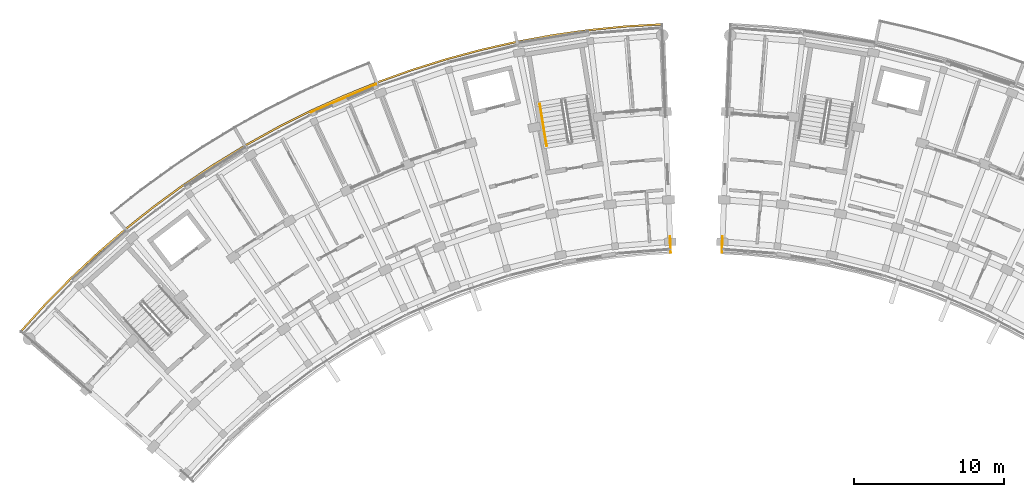
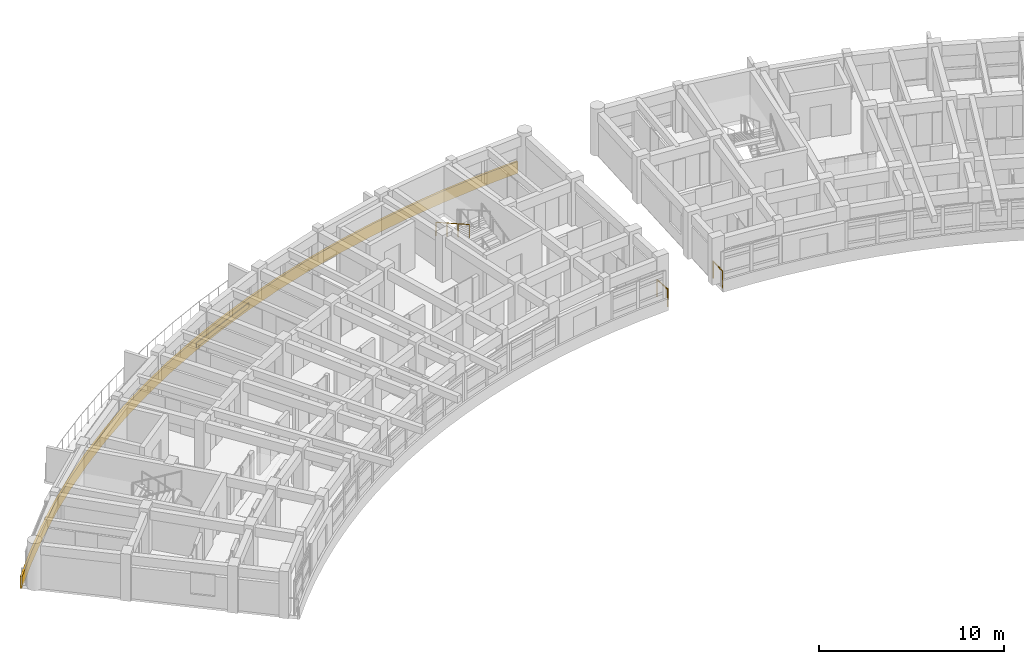
# One storey, part 44 of 55: 4 railings, 1 covering.
"""IFC4 building model written with IfcOpenShell, lengths in metres."""

from ifc_helpers import new_model, si_unit, direction, frame, origin, origin_2d, place, context, subcontext, project, spatial, polyline, rectangle, circle, outline, extrude, material, layer, layer_set, type_object, element, save


model = new_model("IFC4")

# Units and contexts
model_context = context("Model", 3, precision=1e-05, world=origin(), true_north=direction((0.0, 1.0)))
body_context = subcontext(model_context, "Body", "Model", "MODEL_VIEW")
ifc_project = project(units=[si_unit("LENGTHUNIT", "METRE"), si_unit("AREAUNIT", "SQUARE_METRE"), si_unit("VOLUMEUNIT", "CUBIC_METRE"), si_unit("PLANEANGLEUNIT", "RADIAN"), si_unit("MASSUNIT", "GRAM", prefix="KILO")], contexts=[model_context])

# Site, building, storey
site_placement = place(None, origin())
site = spatial("IfcSite", under=ifc_project, at=site_placement, CompositionType="ELEMENT")
building_placement = place(site_placement, origin())
building = spatial("IfcBuilding", under=site, at=building_placement, Name="Zimvara Arc Housing Community", CompositionType="ELEMENT")
storey_placement = place(building_placement, frame((0.0, 0.0, 14.300048828125)))
storey = spatial("IfcBuildingStorey", under=building, at=storey_placement, Name="L04", CompositionType="ELEMENT", Elevation=14.300048828125)

# Covering
ifc_material_1 = material(Name="Pale-Gold Anodised Aluminium Cladding", Category="aluminium")
ifc_layer = layer(ifc_material_1, 0.044921875)
ifc_layer_set = layer_set([ifc_layer], Name="Pale-Gold Anodised Aluminium Cladding")
covering_type = type_object("IfcCoveringType", Name="CLD-GOLD-02", PredefinedType="CLADDING", material=ifc_layer_set)
covering_placement = place(storey_placement, frame((21.51025390625, 99.1474609375, 0.009765625), z_axis=(0.0, 0.0, 1.0), x_axis=(0.918721611116, 0.394905813161, 0.0)))
element("IfcCovering", 1, at=covering_placement, inside=storey, type_object=covering_type, Name="cld:blkA:L04:out:b5", PredefinedType="CLADDING", context=body_context, shape_type="SweptSolid", body=[
    extrude(rectangle(XDim=4.748779296875, YDim=0.044921875, at=origin_2d()), origin(), (0.0, 0.0, 1.0), 0.300048828125),
])

# Railings
ifc_material_2 = material(Name="Anodised Aluminium AW-6063", Category="aluminium")
railing_type_1 = type_object("IfcRailingType", Name="RLG-BAL-1150", PredefinedType="BALUSTRADE", material=ifc_material_2)
railing_1_placement = place(storey_placement, frame((43.295654296875, 88.8671875, 0.0)))
element("IfcRailing", 2, at=railing_1_placement, inside=storey, type_object=railing_type_1, Name="rlg:blkA:L04:gable_in:gN", PredefinedType="BALUSTRADE", context=body_context, shape_type="SweptSolid", body=[
    extrude(circle(Radius=0.02392578125, at=origin_2d()), frame((0.0, 0.0, 1.1259765625), z_axis=(-0.038424441628, 0.999261508458, 0.0), x_axis=(-0.999261508458, -0.038424441628, 0.0)), (0.0, 0.0, 1.0), 1.080078125),
    extrude(circle(Radius=0.02099609375, at=origin_2d()), origin(), (0.0, 0.0, 1.0), 1.101806640625),
    extrude(circle(Radius=0.02099609375, at=origin_2d()), frame((-0.04150390625, 1.079345703125, 0.0)), (0.0, 0.0, 1.0), 1.101806640625),
])
railing_2_placement = place(storey_placement, frame((46.704345703125, 88.8671875, 0.0)))
element("IfcRailing", 3, at=railing_2_placement, inside=storey, type_object=railing_type_1, Name="rlg:blkB:L04:gable_in:g0", PredefinedType="BALUSTRADE", context=body_context, shape_type="SweptSolid", body=[
    extrude(circle(Radius=0.02392578125, at=origin_2d()), frame((0.0, 0.0, 1.1259765625), z_axis=(0.038424441628, 0.999261508458, 0.0), x_axis=(-0.999261508458, 0.038424441628, 0.0)), (0.0, 0.0, 1.0), 1.080078125),
    extrude(circle(Radius=0.02099609375, at=origin_2d()), origin(), (0.0, 0.0, 1.0), 1.101806640625),
    extrude(circle(Radius=0.02099609375, at=origin_2d()), frame((0.04150390625, 1.079345703125, 0.0)), (0.0, 0.0, 1.0), 1.101806640625),
])
ifc_material_3 = material(Name="Pale-Gold Anodised Aluminium AW-6063", Category="aluminium")
railing_type_2 = type_object("IfcRailingType", Name="RLG-FAS-780", PredefinedType="BALUSTRADE", material=ifc_material_3)
railing_3_placement = place(storey_placement, frame((0.0, 0.0, -0.219970703125)))
element("IfcRailing", 4, at=railing_3_placement, inside=storey, type_object=railing_type_2, Name="rlg:blkA:L04:gold_out", PredefinedType="BALUSTRADE", context=body_context, shape_type="SweptSolid", body=[
    extrude(outline(polyline([(0.049560546875, 83.574951171875), (1.682373046875, 85.377685546875), (3.387451171875, 87.112060546875), (5.162109375, 88.775634765625), (7.0029296875, 90.365234375), (8.9072265625, 91.87841796875), (10.871826171875, 93.3125), (12.893310546875, 94.665283203125), (14.96826171875, 95.934326171875), (17.09326171875, 97.11767578125), (19.264892578125, 98.213134765625), (21.4794921875, 99.218994140625), (23.733154296875, 100.1337890625), (26.0224609375, 100.955810546875), (28.34326171875, 101.68359375), (30.692138671875, 102.31591796875), (33.064453125, 102.851806640625), (35.45703125, 103.29052734375), (37.865234375, 103.631103515625), (40.28564453125, 103.873046875), (42.713623046875, 104.01611328125), (42.708984375, 104.135986328125), (40.276123046875, 103.99267578125), (37.850830078125, 103.750244140625), (35.437744140625, 103.408935546875), (33.04052734375, 102.969482421875), (30.6630859375, 102.432373046875), (28.309814453125, 101.798583984375), (25.984375, 101.069580078125), (23.6904296875, 100.245849609375), (21.43212890625, 99.329345703125), (19.213134765625, 98.3212890625), (17.037109375, 97.2236328125), (14.90771484375, 96.037841796875), (12.82861328125, 94.766357421875), (10.802978515625, 93.410888671875), (8.834716796875, 91.973876953125), (6.926513671875, 90.457763671875), (5.081787109375, 88.86474609375), (3.3037109375, 87.197998046875), (1.59521484375, 85.4599609375), (-0.041015625, 83.653564453125), (0.049560546875, 83.574951171875)])), origin(), (0.0, 0.0, 1.0), 0.780029296875),
])
ifc_material_4 = material(Name="Anodised Aluminium AW-6063", Category="aluminium")
railing_type_3 = type_object("IfcRailingType", Name="RLG-HND-900", PredefinedType="HANDRAIL", material=ifc_material_4)
railing_4_placement = place(storey_placement, frame((34.58056640625, 98.7666015625, 1.704833984375)))
element("IfcRailing", 5, at=railing_4_placement, inside=storey, type_object=railing_type_3, Name="L04 ST-A2 stair handrail 2", PredefinedType="HANDRAIL", context=body_context, shape_type="SweptSolid", body=[
    extrude(circle(Radius=0.02392578125, at=origin_2d()), frame((0.0, 0.0, 0.8759765625), z_axis=(0.143721784145, -0.885666177347, 0.441519502474), x_axis=(0.987087819028, 0.160180016, 0.0)), (0.0, 0.0, 1.0), 3.15966796875),
    extrude(circle(Radius=0.02099609375, at=origin_2d()), origin(), (0.0, 0.0, 1.0), 0.851806640625),
    extrude(circle(Radius=0.02099609375, at=origin_2d()), frame((0.1513671875, -0.932861328125, 0.465087890625)), (0.0, 0.0, 1.0), 0.851806640625),
    extrude(circle(Radius=0.02099609375, at=origin_2d()), frame((0.302734375, -1.865478515625, 0.929931640625)), (0.0, 0.0, 1.0), 0.851806640625),
    extrude(circle(Radius=0.02099609375, at=origin_2d()), frame((0.4541015625, -2.79833984375, 1.39501953125)), (0.0, 0.0, 1.0), 0.851806640625),
])

save(model, "model.ifc")
